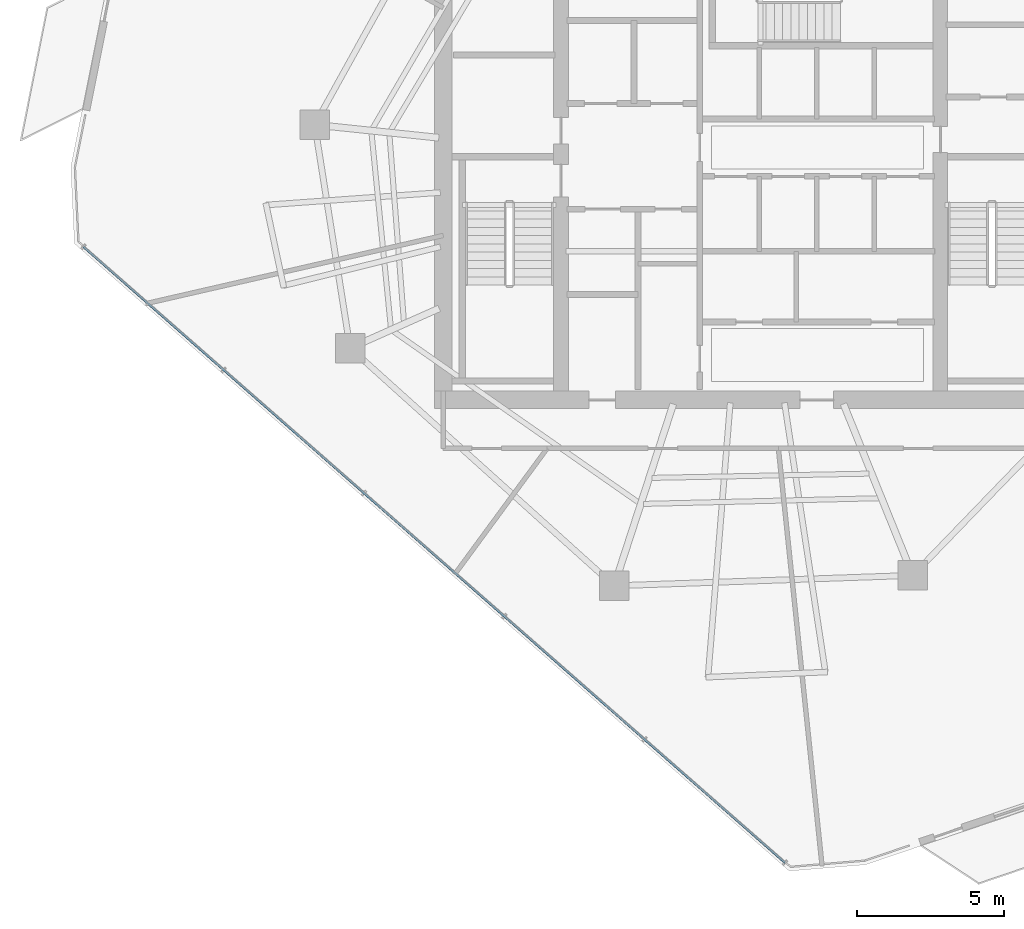
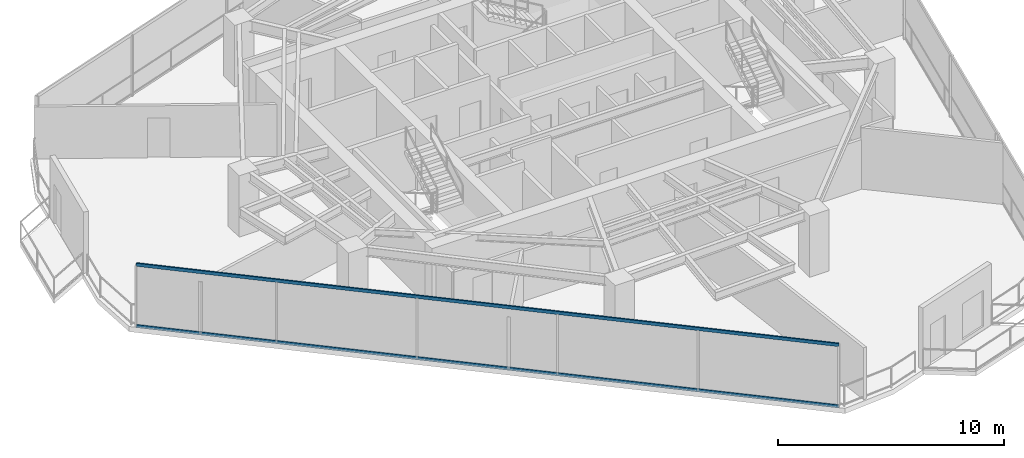
# One storey, part 3 of 20: 2 members, 1 element without a shape of its own.
"""IFC4 building model written with IfcOpenShell, lengths in metres."""

from ifc_helpers import new_model, si_unit, direction, frame, origin, origin_2d, place, context, subcontext, project, spatial, hollow_rectangle, extrude, material, layer, layer_set, material_profile, profile_set, type_object, element, aggregate, save


model = new_model("IFC4")

# Units and contexts
model_context = context("Model", 3, precision=1e-05, world=origin(), true_north=direction((0.0, 1.0)))
body_context = subcontext(model_context, "Body", "Model", "MODEL_VIEW")
ifc_project = project(units=[si_unit("LENGTHUNIT", "METRE"), si_unit("AREAUNIT", "SQUARE_METRE"), si_unit("VOLUMEUNIT", "CUBIC_METRE"), si_unit("PLANEANGLEUNIT", "RADIAN"), si_unit("MASSUNIT", "GRAM", prefix="KILO")], contexts=[model_context])

# Site, building, storey
site_placement = place(None, origin())
site = spatial("IfcSite", under=ifc_project, at=site_placement, CompositionType="ELEMENT")
building_placement = place(site_placement, origin())
building = spatial("IfcBuilding", under=site, at=building_placement, Name="Qarnah Convention Tower", CompositionType="ELEMENT")
storey_placement = place(building_placement, frame((0.0, 0.0, 136.5)))
storey = spatial("IfcBuildingStorey", under=building, at=storey_placement, Name="L36", CompositionType="ELEMENT", Elevation=136.5)

# Curtain wall, members
ifc_material_1 = material(Name="Tempered Low-E dark glass", Category="glass")
ifc_layer = layer(ifc_material_1, 0.172119140625)
ifc_layer_set = layer_set([ifc_layer], Name="Tempered Low-E dark glass")
curtain_wall_type = type_object("IfcCurtainWallType", Name="CWS-03", PredefinedType="NOTDEFINED", material=ifc_layer_set)
curtain_wall_placement = place(storey_placement, origin())
curtain_wall = element("IfcCurtainWall", 1, at=curtain_wall_placement, inside=storey, type_object=curtain_wall_type, Name="L36 unitised curtain wall CW-L36-F2", PredefinedType="NOTDEFINED")
ifc_material_2 = material(Name="Black anodised aluminium", Category="aluminium")
ifc_material_profile = material_profile(ifc_material_2, hollow_rectangle(XDim=0.070068359375, YDim=0.169921875, WallThickness=0.0048828125, at=origin_2d()), Name="TRN-70X170")
ifc_profile_set = profile_set([ifc_material_profile], Name="Black anodised aluminium")
member_type = type_object("IfcMemberType", Name="TRN-T3", PredefinedType="USERDEFINED", material=ifc_profile_set)
member_1_placement = place(storey_placement, frame((38.4140625, 2.867919921875, 0.0), z_axis=(-0.751499577178, 0.659733571603, 0.0), x_axis=(-0.659733571603, -0.751499577178, 0.0)))
member_1 = element("IfcMember", 2, at=member_1_placement, type_object=member_type, Name="CW-L36-F2 transom 1", ObjectType="TRANSOM", PredefinedType="USERDEFINED", context=body_context, shape_type="SweptSolid", body=[
    extrude(hollow_rectangle(XDim=0.070068359375, YDim=0.169921875, WallThickness=0.0048828125, at=origin_2d()), origin(), (0.0, 0.0, 1.0), 31.734130859375),
])
member_2_placement = place(storey_placement, frame((38.4140625, 2.867919921875, 3.320068359375), z_axis=(-0.751499577178, 0.659733571603, 0.0), x_axis=(-0.659733571603, -0.751499577178, 0.0)))
member_2 = element("IfcMember", 3, at=member_2_placement, type_object=member_type, Name="CW-L36-F2 transom 2", ObjectType="TRANSOM", PredefinedType="USERDEFINED", context=body_context, shape_type="SweptSolid", body=[
    extrude(hollow_rectangle(XDim=0.070068359375, YDim=0.169921875, WallThickness=0.0048828125, at=origin_2d()), origin(), (0.0, 0.0, 1.0), 31.734130859375),
])
aggregate(curtain_wall, [member_1, member_2])

save(model, "model.ifc")
